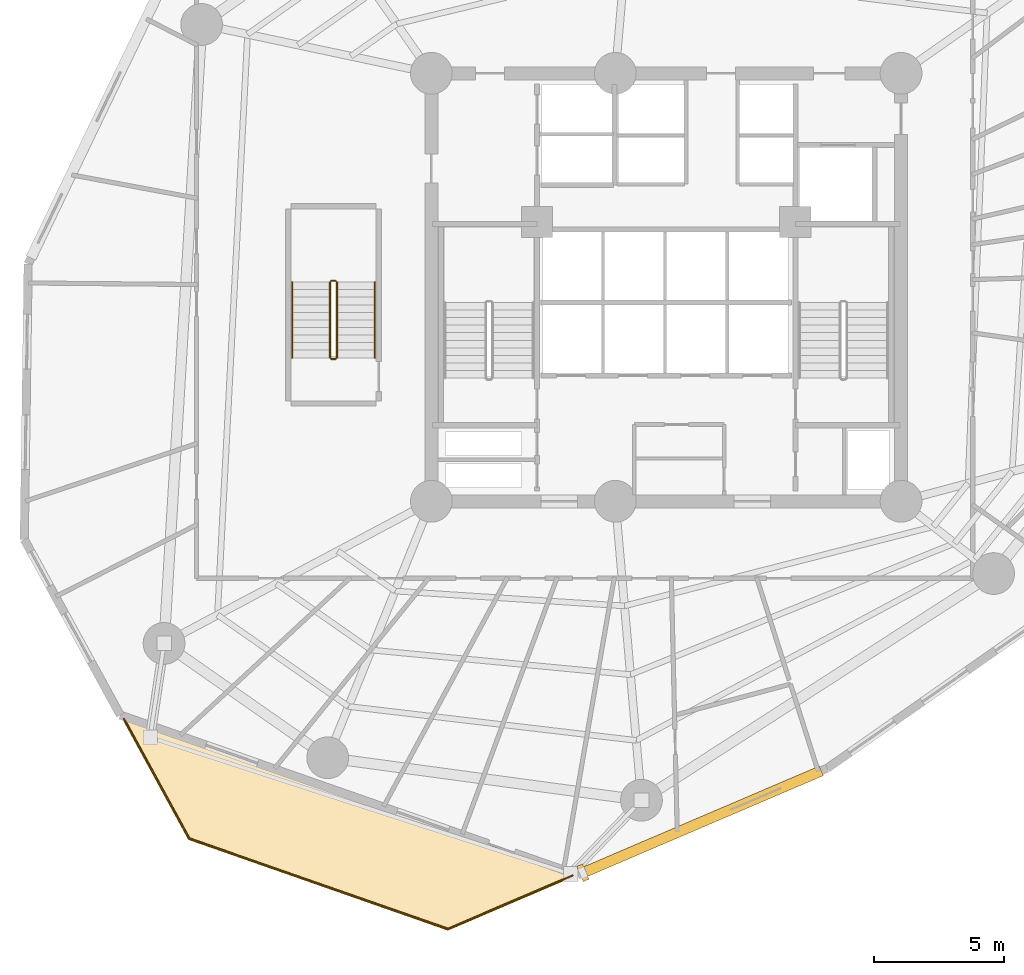
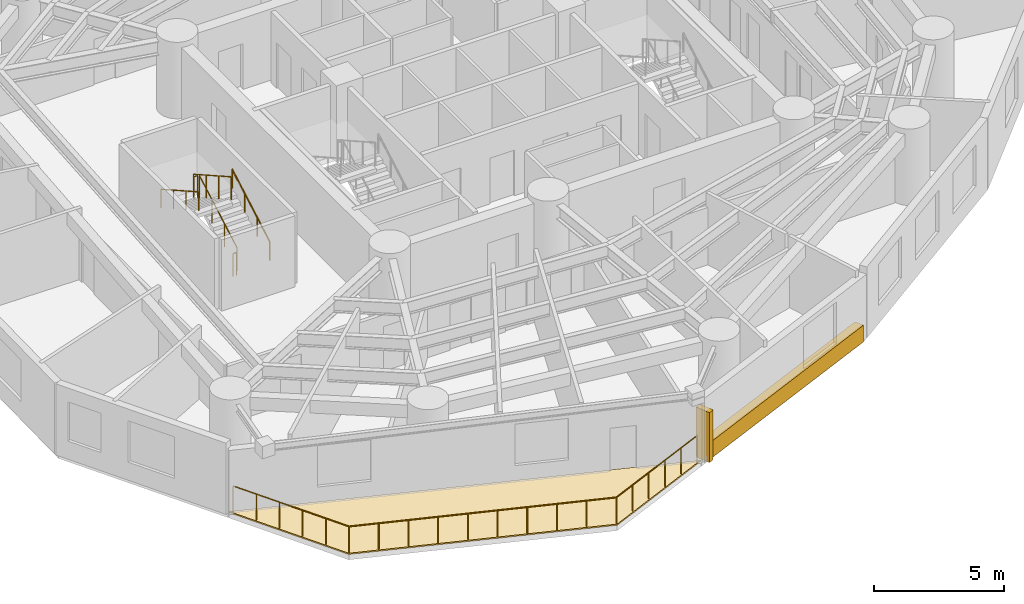
# One storey, part 8 of 11: 9 railings, 2 coverings, 1 shading device.
"""IFC4 building model written with IfcOpenShell, lengths in metres."""

import ifcopenshell
import ifcopenshell.guid

model = None  # the IFC model being written
_history = None  # IfcOwnerHistory: only IFC2X3 demands one
_inside = {}  # id of a spatial element -> (the spatial element, [elements in it])
_under = {}  # id of a project, library or spatial element -> (it, [spatial elements below it])
_declared = {}  # id of a project -> (the project, [libraries it declares])
_typed = {}  # id of a type object -> (the type object, [elements of that type])
_made_of = {}  # id of a material, layer set ... -> (it, [elements and type objects made of it])


def new_model(schema):
    """Start an empty IFC model of exactly this schema.

    Asked for "IFC4X3", IfcOpenShell would pick the latest addendum, in which some entities
    have other attributes; the version numbers below select the first issue.
    IFC2X3 requires an IfcOwnerHistory on every rooted entity: one is made here for all.
    """
    global model, _history
    if schema == "IFC4X3":
        model = ifcopenshell.file(schema_version=(4, 3, 0, 0))
    else:
        model = ifcopenshell.file(schema=schema)
    _inside.clear()
    _under.clear()
    _declared.clear()
    _typed.clear()
    _made_of.clear()
    _history = None
    if model.schema == "IFC2X3":
        org = make("IfcOrganization", Name="unknown")
        user = make(
            "IfcPersonAndOrganization",
            ThePerson=make("IfcPerson", FamilyName="unknown"),
            TheOrganization=org,
        )
        app = make(
            "IfcApplication",
            ApplicationDeveloper=org,
            Version="unknown",
            ApplicationFullName="unknown",
            ApplicationIdentifier="unknown",
        )
        _history = make(
            "IfcOwnerHistory",
            OwningUser=user,
            OwningApplication=app,
            ChangeAction="ADDED",
            CreationDate=0,
        )
    return model


def make(cls, **values):
    """One entity of the class cls with the attributes given. An attribute that is None is left unset."""
    return model.create_entity(
        cls, **{name: value for name, value in values.items() if value is not None}
    )


def rooted(cls, **values):
    """An entity with a GlobalId (a new one), such as an element, a storey or a relation."""
    return make(cls, GlobalId=ifcopenshell.guid.new(), OwnerHistory=_history, **values)


def si_unit(unit_type, name, prefix=None):
    """IfcSIUnit, for example si_unit("LENGTHUNIT", "METRE", prefix="MILLI")."""
    return make("IfcSIUnit", UnitType=unit_type, Prefix=prefix, Name=name)


def assignment(units):
    """IfcUnitAssignment: the units of a project."""
    return None if units is None else make("IfcUnitAssignment", Units=units)


def point(xyz):
    """IfcCartesianPoint."""
    return None if xyz is None else make("IfcCartesianPoint", Coordinates=xyz)


def direction(xyz):
    """IfcDirection."""
    return None if xyz is None else make("IfcDirection", DirectionRatios=xyz)


def frame(location, z_axis=None, x_axis=None):
    """IfcAxis2Placement3D, a coordinate frame: its origin and axes. An axis left out is left unset."""
    return make(
        "IfcAxis2Placement3D",
        Location=point(location),
        Axis=direction(z_axis),
        RefDirection=direction(x_axis),
    )


def frame_2d(location, x_axis=None):
    """IfcAxis2Placement2D, a coordinate frame in the plane: its origin and x axis."""
    return make(
        "IfcAxis2Placement2D", Location=point(location), RefDirection=direction(x_axis)
    )


def origin():
    """The frame at (0, 0, 0) with its axes left unset."""
    return frame((0.0, 0.0, 0.0))


def origin_with_axes():
    """The frame at (0, 0, 0) with the z axis (0, 0, 1) and the x axis (1, 0, 0) written out."""
    return frame((0.0, 0.0, 0.0), z_axis=(0.0, 0.0, 1.0), x_axis=(1.0, 0.0, 0.0))


def origin_2d():
    """The frame at (0, 0) in the plane with its x axis left unset."""
    return frame_2d((0.0, 0.0))


def place(relative_to, where):
    """IfcLocalPlacement: puts the frame where relative to a parent placement (None: the world)."""
    return make(
        "IfcLocalPlacement", PlacementRelTo=relative_to, RelativePlacement=where
    )


def context(
    kind, dimensions, precision=None, world=None, true_north=None, identifier=None
):
    """IfcGeometricRepresentationContext, for example the 3D "Model" context."""
    return make(
        "IfcGeometricRepresentationContext",
        ContextIdentifier=identifier,
        ContextType=kind,
        CoordinateSpaceDimension=dimensions,
        Precision=precision,
        WorldCoordinateSystem=world,
        TrueNorth=true_north,
    )


def subcontext(parent, identifier, kind, view, scale=None):
    """IfcGeometricRepresentationSubContext, for example "Body" below "Model"."""
    return make(
        "IfcGeometricRepresentationSubContext",
        ContextIdentifier=identifier,
        ContextType=kind,
        ParentContext=parent,
        TargetScale=scale,
        TargetView=view,
    )


def project(units=None, contexts=None):
    """IfcProject with its units and contexts."""
    return rooted(
        "IfcProject",
        Name="project",
        RepresentationContexts=contexts,
        UnitsInContext=assignment(units),
    )


def spatial(cls, under=None, at=None, **own):
    """A site, building, storey or space (cls), placed at a placement, below another one or the project."""
    s = rooted(cls, ObjectPlacement=at, **own)
    if under is not None:
        _under.setdefault(under.id(), (under, []))[1].append(s)
    return s


def polyline(points):
    """IfcPolyline through the points."""
    return make("IfcPolyline", Points=[point(p) for p in points])


def profile(cls, at=None, kind="AREA", **sizes):
    """A parametric profile (cls). Its sizes go by their IFC names, for example OverallWidth=200.0."""
    return make(cls, ProfileType=kind, Position=at, **sizes)


def rectangle(**sizes):
    """IfcRectangleProfileDef."""
    return profile("IfcRectangleProfileDef", **sizes)


def circle(**sizes):
    """IfcCircleProfileDef."""
    return profile("IfcCircleProfileDef", **sizes)


def outline(outer, holes=None, kind="AREA"):
    """IfcArbitraryClosedProfileDef: a profile drawn as a closed curve; with holes, ...WithVoids."""
    if holes is None:
        return make("IfcArbitraryClosedProfileDef", ProfileType=kind, OuterCurve=outer)
    return make(
        "IfcArbitraryProfileDefWithVoids",
        ProfileType=kind,
        OuterCurve=outer,
        InnerCurves=holes,
    )


def extrude(swept, where, along, depth):
    """IfcExtrudedAreaSolid: the profile swept, set in the frame where, extruded along a direction by depth."""
    return make(
        "IfcExtrudedAreaSolid",
        SweptArea=swept,
        Position=where,
        ExtrudedDirection=direction(along),
        Depth=depth,
    )


def shape(context_of_items, identifier, shape_type, items):
    """IfcShapeRepresentation: the items that make up one representation, for example the "Body"."""
    return make(
        "IfcShapeRepresentation",
        ContextOfItems=context_of_items,
        RepresentationIdentifier=identifier,
        RepresentationType=shape_type,
        Items=items,
    )


def source(mapping_origin, context_of_items, identifier, shape_type, items):
    """IfcRepresentationMap: a shape defined once, which mapped items show again and again."""
    return make(
        "IfcRepresentationMap",
        MappingOrigin=mapping_origin,
        MappedRepresentation=shape(context_of_items, identifier, shape_type, items),
    )


def transform(
    local_origin,
    x_axis=None,
    y_axis=None,
    z_axis=None,
    scale=None,
    scale2=None,
    scale3=None,
    uniform=True,
):
    """IfcCartesianTransformationOperator3D, or its non-uniform kind. x_axis, y_axis, z_axis: its Axis1, 2, 3."""
    if uniform:
        return make(
            "IfcCartesianTransformationOperator3D",
            Axis1=direction(x_axis),
            Axis2=direction(y_axis),
            LocalOrigin=point(local_origin),
            Scale=scale,
            Axis3=direction(z_axis),
        )
    return make(
        "IfcCartesianTransformationOperator3DnonUniform",
        Axis1=direction(x_axis),
        Axis2=direction(y_axis),
        LocalOrigin=point(local_origin),
        Scale=scale,
        Axis3=direction(z_axis),
        Scale2=scale2,
        Scale3=scale3,
    )


def mapped(mapping_source, mapping_target):
    """IfcMappedItem: shows the shape of a source again, moved by a transform."""
    return make(
        "IfcMappedItem", MappingSource=mapping_source, MappingTarget=mapping_target
    )


def material(Name=None, Category=None):
    """IfcMaterial."""
    return make("IfcMaterial", Name=Name, Category=Category)


def layer(
    of_material, thickness, ventilated=None, Name=None, Category=None, Priority=None
):
    """IfcMaterialLayer: one layer of a wall or slab, of a material (None: an air gap)."""
    return make(
        "IfcMaterialLayer",
        Material=of_material,
        LayerThickness=thickness,
        IsVentilated=ventilated,
        Name=Name,
        Category=Category,
        Priority=Priority,
    )


def layer_set(layers, Name=None):
    """IfcMaterialLayerSet."""
    return make("IfcMaterialLayerSet", MaterialLayers=layers, LayerSetName=Name)


def made_of(thing, what):
    """Note that an element or type object is made of a material, layer set ...; save() writes the relation."""
    if what is not None:
        _made_of.setdefault(what.id(), (what, []))[1].append(thing)
    return thing


def type_object(cls, material=None, **own):
    """A type object (cls), such as IfcWallType, which elements share."""
    return made_of(rooted(cls, **own), material)


def element(
    cls,
    number,
    at=None,
    inside=None,
    cuts=None,
    type_object=None,
    material=None,
    context=None,
    identifier="Body",
    shape_type=None,
    held_by="IfcProductDefinitionShape",
    body=None,
    shapes=None,
    **own,
):
    """One element of the class cls, such as IfcWall. Its Tag is "e" and its number.

    at: its placement. inside: the storey or other place that contains it. cuts: it is an
    opening in that element (IfcRelVoidsElement). A single representation is given by context,
    identifier, shape_type and body (its items); several are given by shapes. held_by: the class
    of the entity that holds the representations. save() writes the other relations.
    """
    e = rooted(cls, Tag="e%d" % number, ObjectPlacement=at, **own)
    if body is not None:
        shapes = [shape(context, identifier, shape_type, body)]
    if shapes is not None:
        e.Representation = make(held_by, Representations=shapes)
    if inside is not None:
        _inside.setdefault(inside.id(), (inside, []))[1].append(e)
    if cuts is not None:
        rooted(
            "IfcRelVoidsElement", RelatingBuildingElement=cuts, RelatedOpeningElement=e
        )
    if type_object is not None:
        _typed.setdefault(type_object.id(), (type_object, []))[1].append(e)
    return made_of(e, material)


def aggregate(whole, parts):
    """IfcRelAggregates: a whole, such as a stair, and the parts it consists of."""
    return rooted("IfcRelAggregates", RelatingObject=whole, RelatedObjects=parts)


def save(model, path):
    """Write the relations noted so far, then the file.

    IfcRelAggregates (storeys below a building ...), IfcRelContainedInSpatialStructure (elements
    in a storey), IfcRelDefinesByType, IfcRelAssociatesMaterial and IfcRelDeclares: one each for
    every whole, place, type object, material and project.
    """
    for whole, parts in _under.values():
        aggregate(whole, parts)
    for where, things in _inside.values():
        rooted(
            "IfcRelContainedInSpatialStructure",
            RelatedElements=things,
            RelatingStructure=where,
        )
    for kind, things in _typed.values():
        rooted("IfcRelDefinesByType", RelatedObjects=things, RelatingType=kind)
    for what, things in _made_of.values():
        rooted("IfcRelAssociatesMaterial", RelatedObjects=things, RelatingMaterial=what)
    for by, libraries in _declared.values():
        rooted("IfcRelDeclares", RelatingContext=by, RelatedDefinitions=libraries)
    model.write(path)


model = new_model("IFC4")

# Units and contexts
model_context = context("Model", 3, precision=1e-05, world=origin(), true_north=direction((0.0, 1.0)))
body_context = subcontext(model_context, "Body", "Model", "MODEL_VIEW")
ifc_project = project(units=[si_unit("LENGTHUNIT", "METRE"), si_unit("AREAUNIT", "SQUARE_METRE"), si_unit("VOLUMEUNIT", "CUBIC_METRE"), si_unit("PLANEANGLEUNIT", "RADIAN"), si_unit("MASSUNIT", "GRAM", prefix="KILO")], contexts=[model_context])

# Site, building, storey
site_placement = place(None, origin())
site = spatial("IfcSite", under=ifc_project, at=site_placement, CompositionType="ELEMENT")
building_placement = place(site_placement, origin())
building = spatial("IfcBuilding", under=site, at=building_placement, Name="Karkom Vertical University and Central Library", CompositionType="ELEMENT")
storey_placement = place(building_placement, frame((0.0, 0.0, 44.5)))
storey = spatial("IfcBuildingStorey", under=building, at=storey_placement, Name="L11", CompositionType="ELEMENT", Elevation=44.5)

# Covering
ifc_material_1 = material(Name="EPDM membrane with Kota stone ballast roofing", Category="masonry")
ifc_layer_1 = layer(ifc_material_1, 0.080078125)
ifc_layer_set_1 = layer_set([ifc_layer_1], Name="EPDM membrane with Kota stone ballast roofing")
covering_type_1 = type_object("IfcCoveringType", Name="ENV-COV-ROOF", PredefinedType="ROOFING", material=ifc_layer_set_1)
covering_1_placement = place(storey_placement, origin())
element("IfcCovering", 1, at=covering_1_placement, inside=storey, type_object=covering_type_1, Name="Level 11 Spiral Sky Garden Waterproofing Covering", PredefinedType="ROOFING", context=body_context, shape_type="SweptSolid", body=[
    extrude(outline(polyline([(20.133544921875, 1.85009765625), (10.186279296875, 5.32763671875), (7.5908203125, 10.077392578125), (25.076904296875, 3.964111328125), (20.133544921875, 1.85009765625)])), origin(), (0.0, 0.0, 1.0), 0.06005859375),
])

# Railings
ifc_material_2 = material(Name="Architectural painted steel & laminated glass balustrade", Category="steel")
ifc_layer_2 = layer(ifc_material_2, 0.090087890625)
ifc_layer_set_2 = layer_set([ifc_layer_2], Name="Architectural painted steel & laminated glass balustrade")
railing_type_1 = type_object("IfcRailingType", Name="ENV-RL-BAL1300", PredefinedType="BALUSTRADE", material=ifc_layer_set_2)
railing_1_placement = place(storey_placement, frame((20.13134765625, 1.914306640625, 0.0)))
element("IfcRailing", 2, at=railing_1_placement, inside=storey, type_object=railing_type_1, Name="Level 11 Planted Terrace Safety Balustrade 01", PredefinedType="BALUSTRADE", context=body_context, shape_type="SweptSolid", body=[
    extrude(circle(Radius=0.02392578125, at=origin_2d()), frame((0.0, 0.0, 1.27587890625), z_axis=(-0.943970045248, 0.330031140462, 0.0), x_axis=(-0.330031140462, -0.943970045248, 0.0)), (0.0, 0.0, 1.0), 10.4912109375),
    extrude(circle(Radius=0.02099609375, at=origin_2d()), origin(), (0.0, 0.0, 1.0), 1.251953125),
    extrude(circle(Radius=0.02099609375, at=origin_2d()), frame((-1.100341796875, 0.384765625, 0.0)), (0.0, 0.0, 1.0), 1.251953125),
    extrude(circle(Radius=0.02099609375, at=origin_2d()), frame((-2.20068359375, 0.76953125, 0.0)), (0.0, 0.0, 1.0), 1.251953125),
    extrude(circle(Radius=0.02099609375, at=origin_2d()), frame((-3.301025390625, 1.154052734375, 0.0)), (0.0, 0.0, 1.0), 1.251953125),
    extrude(circle(Radius=0.02099609375, at=origin_2d()), frame((-4.4013671875, 1.538818359375, 0.0)), (0.0, 0.0, 1.0), 1.251953125),
    extrude(circle(Radius=0.02099609375, at=origin_2d()), frame((-5.501953125, 1.923583984375, 0.0)), (0.0, 0.0, 1.0), 1.251953125),
    extrude(circle(Radius=0.02099609375, at=origin_2d()), frame((-6.602294921875, 2.308349609375, 0.0)), (0.0, 0.0, 1.0), 1.251953125),
    extrude(circle(Radius=0.02099609375, at=origin_2d()), frame((-7.70263671875, 2.69287109375, 0.0)), (0.0, 0.0, 1.0), 1.251953125),
    extrude(circle(Radius=0.02099609375, at=origin_2d()), frame((-8.802978515625, 3.07763671875, 0.0)), (0.0, 0.0, 1.0), 1.251953125),
    extrude(circle(Radius=0.02099609375, at=origin_2d()), frame((-9.9033203125, 3.46240234375, 0.0)), (0.0, 0.0, 1.0), 1.251953125),
])
railing_2_placement = place(storey_placement, frame((10.22802734375, 5.376708984375, 0.0)))
element("IfcRailing", 3, at=railing_2_placement, inside=storey, type_object=railing_type_1, Name="Level 11 Planted Terrace Safety Balustrade 02", PredefinedType="BALUSTRADE", context=body_context, shape_type="SweptSolid", body=[
    extrude(circle(Radius=0.02392578125, at=origin_2d()), frame((0.0, 0.0, 1.27587890625), z_axis=(-0.479495864582, 0.877544138975, 0.0), x_axis=(-0.877544138975, -0.479495864582, 0.0)), (0.0, 0.0, 1.0), 5.233642578125),
    extrude(circle(Radius=0.02099609375, at=origin_2d()), origin(), (0.0, 0.0, 1.0), 1.251953125),
    extrude(circle(Radius=0.02099609375, at=origin_2d()), frame((-0.501953125, 0.91845703125, 0.0)), (0.0, 0.0, 1.0), 1.251953125),
    extrude(circle(Radius=0.02099609375, at=origin_2d()), frame((-1.00390625, 1.837158203125, 0.0)), (0.0, 0.0, 1.0), 1.251953125),
    extrude(circle(Radius=0.02099609375, at=origin_2d()), frame((-1.505615234375, 2.755615234375, 0.0)), (0.0, 0.0, 1.0), 1.251953125),
    extrude(circle(Radius=0.02099609375, at=origin_2d()), frame((-2.007568359375, 3.67431640625, 0.0)), (0.0, 0.0, 1.0), 1.251953125),
    extrude(circle(Radius=0.02099609375, at=origin_2d()), frame((-2.509521484375, 4.5927734375, 0.0)), (0.0, 0.0, 1.0), 1.251953125),
])
railing_3_placement = place(storey_placement, frame((24.9111328125, 3.95849609375, 0.0)))
element("IfcRailing", 4, at=railing_3_placement, inside=storey, type_object=railing_type_1, Name="Level 11 Planted Terrace Safety Balustrade 03", PredefinedType="BALUSTRADE", context=body_context, shape_type="SweptSolid", body=[
    extrude(circle(Radius=0.02392578125, at=origin_2d()), frame((0.0, 0.0, 1.27587890625), z_axis=(-0.919443548098, -0.393222026163, 0.0), x_axis=(0.393222026163, -0.919443548098, 0.0)), (0.0, 0.0, 1.0), 5.198486328125),
    extrude(circle(Radius=0.02099609375, at=origin_2d()), origin(), (0.0, 0.0, 1.0), 1.251953125),
    extrude(circle(Radius=0.02099609375, at=origin_2d()), frame((-0.9560546875, -0.408935546875, 0.0)), (0.0, 0.0, 1.0), 1.251953125),
    extrude(circle(Radius=0.02099609375, at=origin_2d()), frame((-1.911865234375, -0.817626953125, 0.0)), (0.0, 0.0, 1.0), 1.251953125),
    extrude(circle(Radius=0.02099609375, at=origin_2d()), frame((-2.867919921875, -1.2265625, 0.0)), (0.0, 0.0, 1.0), 1.251953125),
    extrude(circle(Radius=0.02099609375, at=origin_2d()), frame((-3.82373046875, -1.63525390625, 0.0)), (0.0, 0.0, 1.0), 1.251953125),
    extrude(circle(Radius=0.02099609375, at=origin_2d()), frame((-4.77978515625, -2.044189453125, 0.0)), (0.0, 0.0, 1.0), 1.251953125),
])
ifc_material_3 = material(Name="Painted galvanised steel balustrade", Category="steel")
ifc_layer_3 = layer(ifc_material_3, 0.06005859375)
ifc_layer_set_3 = layer_set([ifc_layer_3], Name="Painted galvanised steel balustrade")
railing_type_2 = type_object("IfcRailingType", Name="INT-RL-GUARD1100", PredefinedType="GUARDRAIL", material=ifc_layer_set_3)
railing_4_placement = place(storey_placement, frame((15.8798828125, 23.800048828125, 0.16357421875)))
element("IfcRailing", 5, at=railing_4_placement, inside=storey, type_object=railing_type_2, Name="Level 11 ST-3 stair guard 1", PredefinedType="GUARDRAIL", context=body_context, shape_type="SweptSolid", body=[
    extrude(circle(Radius=0.02392578125, at=origin_2d()), frame((0.0, 0.0, 1.076171875), z_axis=(0.0, 0.870897200241, 0.491465224214), x_axis=(-1.0, 0.0, 0.0)), (0.0, 0.0, 1.0), 3.329833984375),
    extrude(circle(Radius=0.02099609375, at=origin_2d()), origin(), (0.0, 0.0, 1.0), 1.052001953125),
    extrude(circle(Radius=0.02099609375, at=origin_2d()), frame((0.0, 0.966552734375, 0.54541015625)), (0.0, 0.0, 1.0), 1.052001953125),
    extrude(circle(Radius=0.02099609375, at=origin_2d()), frame((0.0, 1.933349609375, 1.091064453125)), (0.0, 0.0, 1.0), 1.052001953125),
    extrude(circle(Radius=0.02099609375, at=origin_2d()), frame((0.0, 2.89990234375, 1.636474609375)), (0.0, 0.0, 1.0), 1.052001953125),
])
railing_5_placement = place(storey_placement, frame((15.830078125, 26.75, 1.800048828125)))
element("IfcRailing", 6, at=railing_5_placement, inside=storey, type_object=railing_type_2, Name="Level 11 ST-3 stair guard 2", PredefinedType="GUARDRAIL", context=body_context, shape_type="SweptSolid", body=[
    extrude(circle(Radius=0.02392578125, at=origin_2d()), frame((0.0, 0.0, 1.076171875), z_axis=(-1.0, 0.0, 0.0), x_axis=(0.0, -1.0, 0.0)), (0.0, 0.0, 1.0), 0.16015625),
    extrude(circle(Radius=0.02099609375, at=origin_2d()), origin(), (0.0, 0.0, 1.0), 1.052001953125),
    extrude(circle(Radius=0.02099609375, at=origin_2d()), frame((-0.16015625, 0.0, 0.0)), (0.0, 0.0, 1.0), 1.052001953125),
])
railing_6_placement = place(storey_placement, frame((15.6201171875, 26.699951171875, 1.963623046875)))
element("IfcRailing", 7, at=railing_6_placement, inside=storey, type_object=railing_type_2, Name="Level 11 ST-3 stair guard 3", PredefinedType="GUARDRAIL", context=body_context, shape_type="SweptSolid", body=[
    extrude(circle(Radius=0.02392578125, at=origin_2d()), frame((0.0, 0.0, 1.076171875), z_axis=(0.0, -0.870897200241, 0.491465224214), x_axis=(1.0, 0.0, 0.0)), (0.0, 0.0, 1.0), 3.329833984375),
    extrude(circle(Radius=0.02099609375, at=origin_2d()), origin(), (0.0, 0.0, 1.0), 1.052001953125),
    extrude(circle(Radius=0.02099609375, at=origin_2d()), frame((0.0, -0.966552734375, 0.54541015625)), (0.0, 0.0, 1.0), 1.052001953125),
    extrude(circle(Radius=0.02099609375, at=origin_2d()), frame((0.0, -1.933349609375, 1.091064453125)), (0.0, 0.0, 1.0), 1.052001953125),
    extrude(circle(Radius=0.02099609375, at=origin_2d()), frame((0.0, -2.89990234375, 1.636474609375)), (0.0, 0.0, 1.0), 1.052001953125),
])
railing_7_placement = place(storey_placement, frame((15.830078125, 23.75, 0.0)))
element("IfcRailing", 8, at=railing_7_placement, inside=storey, type_object=railing_type_2, Name="Level 11 ST-3 stair guard 4", PredefinedType="GUARDRAIL", context=body_context, shape_type="SweptSolid", body=[
    extrude(circle(Radius=0.02392578125, at=origin_2d()), frame((0.0, 0.0, 1.076171875), z_axis=(-1.0, 0.0, 0.0), x_axis=(0.0, -1.0, 0.0)), (0.0, 0.0, 1.0), 0.16015625),
    extrude(circle(Radius=0.02099609375, at=origin_2d()), origin(), (0.0, 0.0, 1.0), 1.052001953125),
    extrude(circle(Radius=0.02099609375, at=origin_2d()), frame((-0.16015625, 0.0, 0.0)), (0.0, 0.0, 1.0), 1.052001953125),
])
ifc_material_4 = material(Name="Brushed stainless-steel tubular handrail", Category="steel")
ifc_layer_4 = layer(ifc_material_4, 0.048095703125)
ifc_layer_set_4 = layer_set([ifc_layer_4], Name="Brushed stainless-steel tubular handrail")
railing_type_3 = type_object("IfcRailingType", Name="INT-RL-HAND920", PredefinedType="HANDRAIL", material=ifc_layer_set_4)
railing_8_placement = place(storey_placement, frame((17.330078125, 23.800048828125, 0.16357421875)))
element("IfcRailing", 9, at=railing_8_placement, inside=storey, type_object=railing_type_3, Name="Level 11 ST-3 stair handrail 1", PredefinedType="HANDRAIL", context=body_context, shape_type="SweptSolid", body=[
    extrude(circle(Radius=0.02392578125, at=origin_2d()), frame((0.0, 0.0, 0.8759765625), z_axis=(0.0, 0.870897200241, 0.491465224214), x_axis=(-1.0, 0.0, 0.0)), (0.0, 0.0, 1.0), 3.329833984375),
    extrude(circle(Radius=0.02099609375, at=origin_2d()), origin(), (0.0, 0.0, 1.0), 0.851806640625),
    extrude(circle(Radius=0.02099609375, at=origin_2d()), frame((0.0, 0.966552734375, 0.54541015625)), (0.0, 0.0, 1.0), 0.851806640625),
    extrude(circle(Radius=0.02099609375, at=origin_2d()), frame((0.0, 1.933349609375, 1.091064453125)), (0.0, 0.0, 1.0), 0.851806640625),
    extrude(circle(Radius=0.02099609375, at=origin_2d()), frame((0.0, 2.89990234375, 1.636474609375)), (0.0, 0.0, 1.0), 0.851806640625),
])
railing_9_placement = place(storey_placement, frame((14.169921875, 26.699951171875, 1.963623046875)))
element("IfcRailing", 10, at=railing_9_placement, inside=storey, type_object=railing_type_3, Name="Level 11 ST-3 stair handrail 2", PredefinedType="HANDRAIL", context=body_context, shape_type="SweptSolid", body=[
    extrude(circle(Radius=0.02392578125, at=origin_2d()), frame((0.0, 0.0, 0.8759765625), z_axis=(0.0, -0.870897200241, 0.491465224214), x_axis=(1.0, 0.0, 0.0)), (0.0, 0.0, 1.0), 3.329833984375),
    extrude(circle(Radius=0.02099609375, at=origin_2d()), origin(), (0.0, 0.0, 1.0), 0.851806640625),
    extrude(circle(Radius=0.02099609375, at=origin_2d()), frame((0.0, -0.966552734375, 0.54541015625)), (0.0, 0.0, 1.0), 0.851806640625),
    extrude(circle(Radius=0.02099609375, at=origin_2d()), frame((0.0, -1.933349609375, 1.091064453125)), (0.0, 0.0, 1.0), 0.851806640625),
    extrude(circle(Radius=0.02099609375, at=origin_2d()), frame((0.0, -2.89990234375, 1.636474609375)), (0.0, 0.0, 1.0), 0.851806640625),
])

# Shading device
ifc_material_5 = material(Name="Terracotta-clad precast concrete sun-breaker fin C45/55", Category="masonry")
shading_device_type = type_object("IfcShadingDeviceType", Name="ENV-SHD-BRISE", PredefinedType="USERDEFINED", material=ifc_material_5)
shared_shape_1 = source(origin_with_axes(), body_context, "Body", "SweptSolid", [
    extrude(rectangle(XDim=0.239990234375, YDim=0.639892578125, at=origin_2d()), origin(), (0.0, 0.0, 1.0), 2.35009765625),
])
shading_device_placement = place(storey_placement, frame((25.306396484375, 4.062255859375, 0.0), z_axis=(0.0, 0.0, 1.0), x_axis=(0.9194787684, 0.393139662794, 0.0)))
element("IfcShadingDevice", 11, at=shading_device_placement, inside=storey, type_object=shading_device_type, Name="Level 11 Brutalist Brise-Soleil Fin 05", ObjectType="BRISE SOLEIL", PredefinedType="USERDEFINED", context=body_context, shape_type="MappedRepresentation", body=[
    mapped(shared_shape_1, transform((0.0, 0.0, 0.0), scale=1.0)),
])

# Covering
ifc_material_6 = material(Name="Hand-pressed red-ochre terracotta brick slip cladding", Category="masonry")
ifc_layer_5 = layer(ifc_material_6, 0.090087890625)
ifc_layer_set_5 = layer_set([ifc_layer_5], Name="Hand-pressed red-ochre terracotta brick slip cladding")
covering_type_2 = type_object("IfcCoveringType", Name="ENV-COV-CLAD", PredefinedType="CLADDING", material=ifc_layer_set_5)
shared_shape_2 = source(origin_with_axes(), body_context, "Body", "SweptSolid", [
    extrude(rectangle(XDim=9.910888671875, YDim=0.39990234375, at=origin_2d()), origin(), (0.0, 0.0, 1.0), 0.780029296875),
])
covering_2_placement = place(storey_placement, frame((29.89013671875, 6.022705078125, 0.0), z_axis=(0.0, 0.0, 1.0), x_axis=(0.9194787684, 0.393139662794, 0.0)))
element("IfcCovering", 12, at=covering_2_placement, inside=storey, type_object=covering_type_2, Name="Level 11 Terracotta Spandrel Cladding 05", PredefinedType="CLADDING", context=body_context, shape_type="MappedRepresentation", body=[
    mapped(shared_shape_2, transform((0.0, 0.0, 0.0), scale=1.0)),
])

save(model, "model.ifc")
